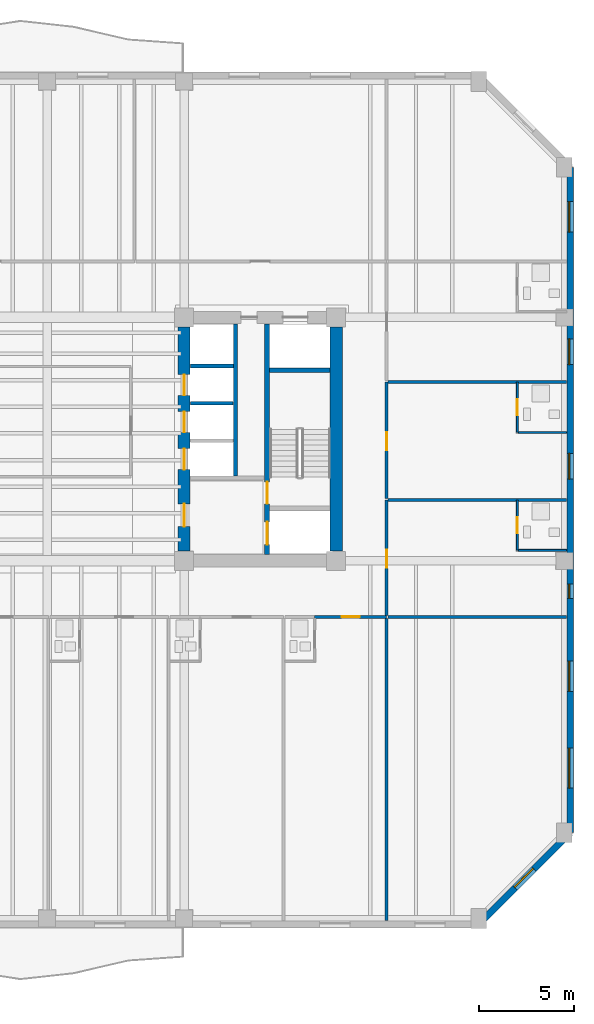
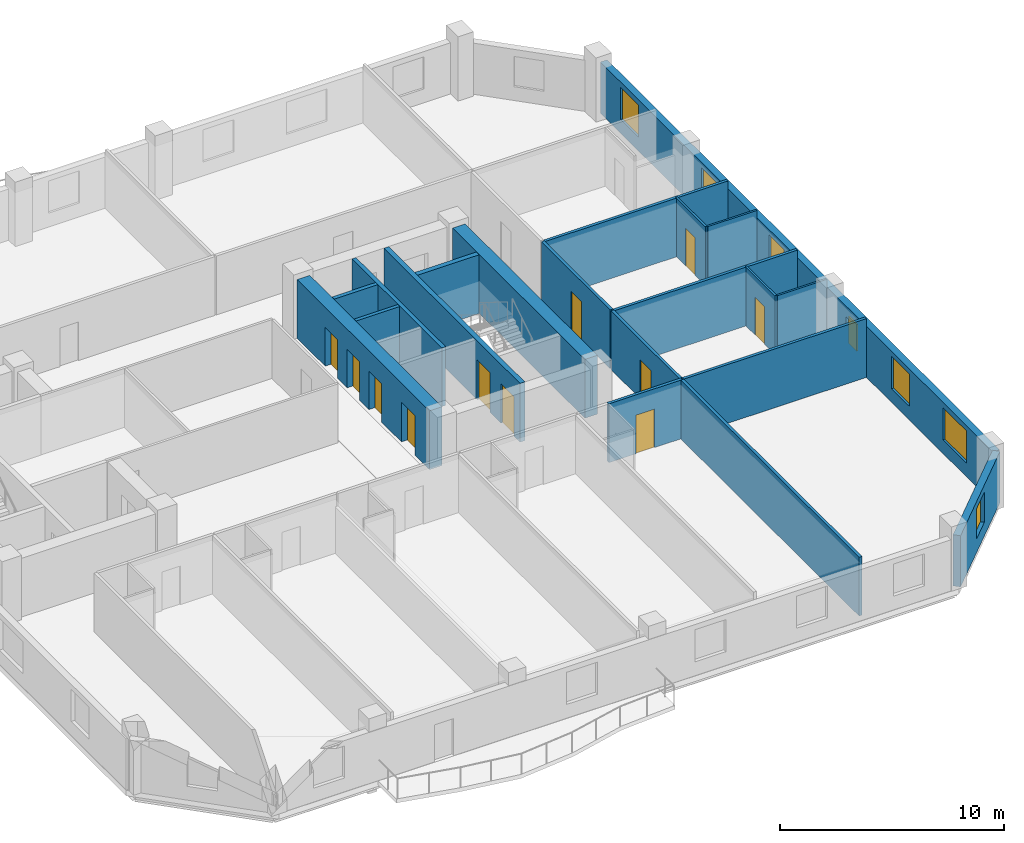
# One storey, part 4 of 10: 20 walls, 11 doors, 7 windows, 18 openings.
"""IFC4 building model written with IfcOpenShell, lengths in metres."""

from ifc_helpers import new_model, si_unit, direction, frame, frame_2d, origin, place, context, subcontext, project, spatial, rectangle, extrude, material, layer, layer_set, type_object, element, fill, save


model = new_model("IFC4")

# Units and contexts
model_context = context("Model", 3, precision=1e-05, world=origin(), true_north=direction((0.0, 1.0)))
body_context = subcontext(model_context, "Body", "Model", "MODEL_VIEW")
ifc_project = project(units=[si_unit("LENGTHUNIT", "METRE"), si_unit("AREAUNIT", "SQUARE_METRE"), si_unit("VOLUMEUNIT", "CUBIC_METRE"), si_unit("PLANEANGLEUNIT", "RADIAN"), si_unit("MASSUNIT", "GRAM", prefix="KILO")], contexts=[model_context])

# Site, building, storey
site_placement = place(None, origin())
site = spatial("IfcSite", under=ifc_project, at=site_placement, CompositionType="ELEMENT")
building_placement = place(site_placement, origin())
building = spatial("IfcBuilding", under=site, at=building_placement, Name="Kranthara Brick Stack", CompositionType="ELEMENT")
storey_placement = place(building_placement, frame((0.0, 0.0, 151.800048828125)))
storey = spatial("IfcBuildingStorey", under=building, at=storey_placement, Name="L38", CompositionType="ELEMENT", Elevation=151.800048828125)

# Wall, openings, windows
ifc_material_1 = material(Name="Kiln-fired clay brick masonry M15", Category="masonry")
ifc_layer_1 = layer(ifc_material_1, 0.35009765625)
ifc_layer_set_1 = layer_set([ifc_layer_1], Name="Kiln-fired clay brick masonry M15")
wall_type_1 = type_object("IfcWallType", Name="WL-BRK-SPND-350", PredefinedType="STANDARD", material=ifc_layer_set_1)
wall_1_placement = place(storey_placement, frame((55.5048828125, 41.5, 0.0), z_axis=(0.0, 0.0, 1.0), x_axis=(0.0, -1.0, 0.0)))
wall_1 = element("IfcWall", 1, at=wall_1_placement, inside=storey, type_object=wall_type_1, Name="L38 Exterior Brick Facade Wall EAST 1", PredefinedType="STANDARD", context=body_context, shape_type="SweptSolid", body=[
    extrude(rectangle(XDim=35.0, YDim=0.35009765625, at=frame_2d((17.5, 0.0))), origin(), (0.0, 0.0, 1.0), 2.784912109375),
])
opening_1_placement = place(wall_1_placement, frame((1.81298828125, 0.0, 0.75)))
opening_1 = element("IfcOpeningElement", 2, at=opening_1_placement, cuts=wall_1, Name="Opening WN04", PredefinedType="OPENING", context=body_context, shape_type="SweptSolid", body=[
    extrude(rectangle(XDim=1.60009765625, YDim=1.75, at=frame_2d((0.800048828125, 0.875))), frame((0.0, 0.18505859375, 0.0), z_axis=(0.0, -1.0, 0.0), x_axis=(1.0, 0.0, 0.0)), (0.0, 0.0, 1.0), 0.3701171875),
])
opening_2_placement = place(wall_1_placement, frame((9.02490234375, 0.0, 0.75)))
opening_2 = element("IfcOpeningElement", 3, at=opening_2_placement, cuts=wall_1, Name="Opening WN06", PredefinedType="OPENING", context=body_context, shape_type="SweptSolid", body=[
    extrude(rectangle(XDim=1.35009765625, YDim=1.75, at=frame_2d((0.675048828125, 0.875))), frame((0.0, 0.18505859375, 0.0), z_axis=(0.0, -1.0, 0.0), x_axis=(1.0, 0.0, 0.0)), (0.0, 0.0, 1.0), 0.3701171875),
])
opening_3_placement = place(wall_1_placement, frame((15.050048828125, 0.0, 0.75)))
opening_3 = element("IfcOpeningElement", 4, at=opening_3_placement, cuts=wall_1, Name="Opening WN06", PredefinedType="OPENING", context=body_context, shape_type="SweptSolid", body=[
    extrude(rectangle(XDim=1.35009765625, YDim=1.75, at=frame_2d((0.675048828125, 0.875))), frame((0.0, 0.18505859375, 0.0), z_axis=(0.0, -1.0, 0.0), x_axis=(1.0, 0.0, 0.0)), (0.0, 0.0, 1.0), 0.3701171875),
])
opening_4_placement = place(wall_1_placement, frame((25.969970703125, 0.0, 0.75)))
opening_4 = element("IfcOpeningElement", 5, at=opening_4_placement, cuts=wall_1, Name="Opening WN04", PredefinedType="OPENING", context=body_context, shape_type="SweptSolid", body=[
    extrude(rectangle(XDim=1.60009765625, YDim=1.75, at=frame_2d((0.800048828125, 0.875))), frame((0.0, 0.18505859375, 0.0), z_axis=(0.0, -1.0, 0.0), x_axis=(1.0, 0.0, 0.0)), (0.0, 0.0, 1.0), 0.3701171875),
])
opening_5_placement = place(wall_1_placement, frame((30.554931640625, 0.0, 0.75)))
opening_5 = element("IfcOpeningElement", 6, at=opening_5_placement, cuts=wall_1, Name="Opening WN05", PredefinedType="OPENING", context=body_context, shape_type="SweptSolid", body=[
    extrude(rectangle(XDim=2.10009765625, YDim=1.75, at=frame_2d((1.050048828125, 0.875))), frame((0.0, 0.18505859375, 0.0), z_axis=(0.0, -1.0, 0.0), x_axis=(1.0, 0.0, 0.0)), (0.0, 0.0, 1.0), 0.3701171875),
])
opening_6_placement = place(wall_1_placement, frame((21.925048828125, 0.0, 0.75)))
opening_6 = element("IfcOpeningElement", 7, at=opening_6_placement, cuts=wall_1, Name="Opening WN13", PredefinedType="OPENING", context=body_context, shape_type="SweptSolid", body=[
    extrude(rectangle(XDim=0.75, YDim=1.449951171875, at=frame_2d((0.375, 0.72509765625))), frame((0.0, 0.18505859375, 0.0), z_axis=(0.0, -1.0, 0.0), x_axis=(1.0, 0.0, 0.0)), (0.0, 0.0, 1.0), 0.3701171875),
])
ifc_material_2 = material(Name="Double-glazed low-E solar control glass", Category="glass")
window_type_1 = type_object("IfcWindowType", Name="WN-CAS-750x1450", PartitioningType="SINGLE_PANEL", PredefinedType="WINDOW", material=ifc_material_2)
window_1_placement = place(opening_6_placement, origin())
window_1 = element("IfcWindow", 8, at=window_1_placement, inside=storey, type_object=window_type_1, Name="L38 East Deep-Set Casement Window 06", OverallHeight=1.449951171875, OverallWidth=0.75, PartitioningType="SINGLE_PANEL", PredefinedType="WINDOW", context=body_context, shape_type="SweptSolid", body=[
    extrude(rectangle(XDim=0.75, YDim=1.449951171875, at=frame_2d((0.375, 0.72509765625))), frame((0.0, -0.010009765625, 0.0), z_axis=(0.0, -1.0, 0.0), x_axis=(1.0, 0.0, 0.0)), (0.0, 0.0, 1.0), 0.06005859375),
])
fill(opening_6, window_1)
ifc_material_3 = material(Name="Double-glazed low-E solar control glass", Category="glass")
window_type_2 = type_object("IfcWindowType", Name="WN-HTL-1350x1850", PartitioningType="SINGLE_PANEL", PredefinedType="WINDOW", material=ifc_material_3)
window_2_placement = place(opening_2_placement, origin())
window_2 = element("IfcWindow", 9, at=window_2_placement, inside=storey, type_object=window_type_2, Name="L38 East Deep-Set Brick Window 02", OverallHeight=1.75, OverallWidth=1.35009765625, PartitioningType="SINGLE_PANEL", PredefinedType="WINDOW", context=body_context, shape_type="SweptSolid", body=[
    extrude(rectangle(XDim=1.35009765625, YDim=1.75, at=frame_2d((0.675048828125, 0.875))), frame((0.0, -0.010009765625, 0.0), z_axis=(0.0, -1.0, 0.0), x_axis=(1.0, 0.0, 0.0)), (0.0, 0.0, 1.0), 0.06005859375),
])
fill(opening_2, window_2)
window_3_placement = place(opening_3_placement, origin())
window_3 = element("IfcWindow", 10, at=window_3_placement, inside=storey, type_object=window_type_2, Name="L38 East Deep-Set Brick Window 03", OverallHeight=1.75, OverallWidth=1.35009765625, PartitioningType="SINGLE_PANEL", PredefinedType="WINDOW", context=body_context, shape_type="SweptSolid", body=[
    extrude(rectangle(XDim=1.35009765625, YDim=1.75, at=frame_2d((0.675048828125, 0.875))), frame((0.0, -0.010009765625, 0.0), z_axis=(0.0, -1.0, 0.0), x_axis=(1.0, 0.0, 0.0)), (0.0, 0.0, 1.0), 0.06005859375),
])
fill(opening_3, window_3)
ifc_material_4 = material(Name="Double-glazed low-E solar control glass", Category="glass")
window_type_3 = type_object("IfcWindowType", Name="WN-HTL-1600x1850", PartitioningType="DOUBLE_PANEL_VERTICAL", PredefinedType="WINDOW", material=ifc_material_4)
window_4_placement = place(opening_1_placement, origin())
window_4 = element("IfcWindow", 11, at=window_4_placement, inside=storey, type_object=window_type_3, Name="L38 East Deep-Set Brick Window 01", OverallHeight=1.75, OverallWidth=1.60009765625, PartitioningType="SINGLE_PANEL", PredefinedType="WINDOW", context=body_context, shape_type="SweptSolid", body=[
    extrude(rectangle(XDim=1.60009765625, YDim=1.75, at=frame_2d((0.800048828125, 0.875))), frame((0.0, -0.010009765625, 0.0), z_axis=(0.0, -1.0, 0.0), x_axis=(1.0, 0.0, 0.0)), (0.0, 0.0, 1.0), 0.06005859375),
])
fill(opening_1, window_4)
window_5_placement = place(opening_4_placement, origin())
window_5 = element("IfcWindow", 12, at=window_5_placement, inside=storey, type_object=window_type_3, Name="L38 East Deep-Set Brick Window 04", OverallHeight=1.75, OverallWidth=1.60009765625, PartitioningType="SINGLE_PANEL", PredefinedType="WINDOW", context=body_context, shape_type="SweptSolid", body=[
    extrude(rectangle(XDim=1.60009765625, YDim=1.75, at=frame_2d((0.800048828125, 0.875))), frame((0.0, -0.010009765625, 0.0), z_axis=(0.0, -1.0, 0.0), x_axis=(1.0, 0.0, 0.0)), (0.0, 0.0, 1.0), 0.06005859375),
])
fill(opening_4, window_5)
ifc_material_5 = material(Name="Double-glazed low-E solar control glass", Category="glass")
window_type_4 = type_object("IfcWindowType", Name="WN-HTL-2100x1850", PartitioningType="DOUBLE_PANEL_VERTICAL", PredefinedType="WINDOW", material=ifc_material_5)
window_6_placement = place(opening_5_placement, origin())
window_6 = element("IfcWindow", 13, at=window_6_placement, inside=storey, type_object=window_type_4, Name="L38 East Deep-Set Brick Window 05", OverallHeight=1.75, OverallWidth=2.10009765625, PartitioningType="SINGLE_PANEL", PredefinedType="WINDOW", context=body_context, shape_type="SweptSolid", body=[
    extrude(rectangle(XDim=2.10009765625, YDim=1.75, at=frame_2d((1.050048828125, 0.875))), frame((0.0, -0.010009765625, 0.0), z_axis=(0.0, -1.0, 0.0), x_axis=(1.0, 0.0, 0.0)), (0.0, 0.0, 1.0), 0.06005859375),
])
fill(opening_5, window_6)

# Wall, opening, window
wall_2_placement = place(storey_placement, frame((55.5048828125, 6.5, 0.0), z_axis=(0.0, 0.0, 1.0), x_axis=(-0.707106781187, -0.707106781187, 0.0)))
wall_2 = element("IfcWall", 14, at=wall_2_placement, inside=storey, type_object=wall_type_1, Name="L38 Exterior Brick Facade Wall SE 1", PredefinedType="STANDARD", context=body_context, shape_type="SweptSolid", body=[
    extrude(rectangle(XDim=6.795166015625, YDim=0.35009765625, at=frame_2d((3.3974609375, 0.0))), origin(), (0.0, 0.0, 1.0), 2.784912109375),
])
opening_7_placement = place(wall_2_placement, frame((2.697998046875, 0.0, 0.75)))
opening_7 = element("IfcOpeningElement", 15, at=opening_7_placement, cuts=wall_2, Name="Opening WN10", PredefinedType="OPENING", context=body_context, shape_type="SweptSolid", body=[
    extrude(rectangle(XDim=1.39990234375, YDim=1.64990234375, at=frame_2d((0.699951171875, 0.824951171875))), frame((0.0, 0.18505859375, 0.0), z_axis=(0.0, -1.0, 0.0), x_axis=(1.0, 0.0, 0.0)), (0.0, 0.0, 1.0), 0.3701171875),
])
ifc_material_6 = material(Name="Double-glazed low-E solar control glass", Category="glass")
window_type_5 = type_object("IfcWindowType", Name="WN-CHM-1400x1750", PartitioningType="SINGLE_PANEL", PredefinedType="WINDOW", material=ifc_material_6)
window_7_placement = place(opening_7_placement, origin())
window_7 = element("IfcWindow", 16, at=window_7_placement, inside=storey, type_object=window_type_5, Name="L38 SE Chamfer Corner Window", OverallHeight=1.64990234375, OverallWidth=1.39990234375, PartitioningType="SINGLE_PANEL", PredefinedType="WINDOW", context=body_context, shape_type="SweptSolid", body=[
    extrude(rectangle(XDim=1.39990234375, YDim=1.64990234375, at=frame_2d((0.699951171875, 0.824951171875))), frame((0.0, -0.010009765625, 0.0), z_axis=(0.0, -1.0, 0.0), x_axis=(1.0, 0.0, 0.0)), (0.0, 0.0, 1.0), 0.06005859375),
])
fill(opening_7, window_7)

# Wall, openings, doors
ifc_material_7 = material(Name="Concrete C50/60", Category="concrete")
ifc_layer_2 = layer(ifc_material_7, 0.25)
ifc_layer_set_2 = layer_set([ifc_layer_2], Name="Concrete C50/60")
wall_type_2 = type_object("IfcWallType", Name="WL-CORE-250", PredefinedType="SHEAR", material=ifc_layer_set_2)
wall_3_placement = place(storey_placement, frame((39.56494140625, 21.135009765625, 0.0), z_axis=(0.0, 0.0, 1.0), x_axis=(0.0, 1.0, 0.0)))
wall_3 = element("IfcWall", 17, at=wall_3_placement, inside=storey, type_object=wall_type_2, Name="L38 East Core Stair Bearing Spine Wall", PredefinedType="SHEAR", context=body_context, shape_type="SweptSolid", body=[
    extrude(rectangle(XDim=12.1298828125, YDim=0.25, at=frame_2d((6.06494140625, 0.0))), origin(), (0.0, 0.0, 1.0), 3.199951171875),
])
opening_8_placement = place(wall_3_placement, frame((0.514892578125, 0.0, 0.0)))
opening_8 = element("IfcOpeningElement", 18, at=opening_8_placement, cuts=wall_3, Name="Opening LD01", PredefinedType="OPENING", context=body_context, shape_type="SweptSolid", body=[
    extrude(rectangle(XDim=1.199951171875, YDim=2.14990234375, at=frame_2d((0.60009765625, 1.074951171875))), frame((0.0, 0.135009765625, 0.0), z_axis=(0.0, -1.0, 0.0), x_axis=(1.0, 0.0, 0.0)), (0.0, 0.0, 1.0), 0.27001953125),
])
opening_9_placement = place(wall_3_placement, frame((2.6650390625, 0.0, 0.0)))
opening_9 = element("IfcOpeningElement", 19, at=opening_9_placement, cuts=wall_3, Name="Opening D05", PredefinedType="OPENING", context=body_context, shape_type="SweptSolid", body=[
    extrude(rectangle(XDim=1.14990234375, YDim=2.14990234375, at=frame_2d((0.574951171875, 1.074951171875))), frame((0.0, 0.135009765625, 0.0), z_axis=(0.0, -1.0, 0.0), x_axis=(1.0, 0.0, 0.0)), (0.0, 0.0, 1.0), 0.27001953125),
])
ifc_material_8 = material(Name="Stainless steel sliding landing door", Category="steel")
door_type_1 = type_object("IfcDoorType", Name="DR-LD-FF1200", OperationType="DOUBLE_DOOR_SLIDING", PredefinedType="DOOR", material=ifc_material_8)
door_1_placement = place(opening_8_placement, origin())
door_1 = element("IfcDoor", 20, at=door_1_placement, inside=storey, type_object=door_type_1, Name="L38 Firefighting Lift FF-02 Landing Door", OperationType="DOUBLE_DOOR_SLIDING", OverallHeight=2.14990234375, OverallWidth=1.199951171875, PredefinedType="DOOR", context=body_context, shape_type="SweptSolid", body=[
    extrude(rectangle(XDim=1.199951171875, YDim=2.14990234375, at=frame_2d((0.60009765625, 1.074951171875))), frame((0.0, 0.02490234375, 0.0), z_axis=(0.0, -1.0, 0.0), x_axis=(1.0, 0.0, 0.0)), (0.0, 0.0, 1.0), 0.050048828125),
])
fill(opening_8, door_1)
ifc_material_9 = material(Name="Solid-core hardwood timber leaf in steel frame", Category="steel")
door_type_2 = type_object("IfcDoorType", Name="DR-ST-1150", OperationType="NOTDEFINED", PredefinedType="DOOR", material=ifc_material_9)
door_2_placement = place(opening_9_placement, origin())
door_2 = element("IfcDoor", 21, at=door_2_placement, inside=storey, type_object=door_type_2, Name="L38 Exit Stair ST02 Door", OperationType="SINGLE_SWING_LEFT", OverallHeight=2.14990234375, OverallWidth=1.14990234375, PredefinedType="DOOR", context=body_context, shape_type="SweptSolid", body=[
    extrude(rectangle(XDim=1.14990234375, YDim=2.14990234375, at=frame_2d((0.574951171875, 1.074951171875))), frame((0.0, 0.02490234375, 0.0), z_axis=(0.0, -1.0, 0.0), x_axis=(1.0, 0.0, 0.0)), (0.0, 0.0, 1.0), 0.050048828125),
])
fill(opening_9, door_2)

# Walls
wall_4_placement = place(storey_placement, frame((39.68994140625, 30.830078125, 0.0), z_axis=(0.0, 0.0, 1.0), x_axis=(1.0, 0.0, 0.0)))
element("IfcWall", 22, at=wall_4_placement, inside=storey, type_object=wall_type_2, Name="L38 East Stairwell Bearing Wall EST", PredefinedType="SHEAR", context=body_context, shape_type="SweptSolid", body=[
    extrude(rectangle(XDim=3.175048828125, YDim=0.25, at=frame_2d((1.58740234375, 0.0))), origin(), (0.0, 0.0, 1.0), 3.199951171875),
])
ifc_material_10 = material(Name="Concrete C60/75", Category="concrete")
ifc_layer_3 = layer(ifc_material_10, 0.64990234375)
ifc_layer_set_3 = layer_set([ifc_layer_3], Name="Concrete C60/75")
wall_type_3 = type_object("IfcWallType", Name="WL-CORE-650", PredefinedType="SHEAR", material=ifc_layer_set_3)
wall_5_placement = place(storey_placement, frame((43.199951171875, 21.304931640625, 0.0), z_axis=(0.0, 0.0, 1.0), x_axis=(0.0, 1.0, 0.0)))
element("IfcWall", 23, at=wall_5_placement, inside=storey, type_object=wall_type_3, Name="L38 East Core Shear Wall East", PredefinedType="SHEAR", context=body_context, shape_type="SweptSolid", body=[
    extrude(rectangle(XDim=11.7900390625, YDim=0.64990234375, at=frame_2d((5.89501953125, 0.0))), origin(), (0.0, 0.0, 1.0), 3.199951171875),
])

# Wall, openings, doors
wall_6_placement = place(storey_placement, frame((35.199951171875, 21.304931640625, 0.0), z_axis=(0.0, 0.0, 1.0), x_axis=(0.0, 1.0, 0.0)))
wall_6 = element("IfcWall", 24, at=wall_6_placement, inside=storey, type_object=wall_type_3, Name="L38 East Core Shear Wall West", PredefinedType="SHEAR", context=body_context, shape_type="SweptSolid", body=[
    extrude(rectangle(XDim=11.7900390625, YDim=0.64990234375, at=frame_2d((5.89501953125, 0.0))), origin(), (0.0, 0.0, 1.0), 3.199951171875),
])
opening_10_placement = place(wall_6_placement, frame((1.294921875, 0.0, 0.0)))
opening_10 = element("IfcOpeningElement", 25, at=opening_10_placement, cuts=wall_6, Name="Opening D06", PredefinedType="OPENING", context=body_context, shape_type="SweptSolid", body=[
    extrude(rectangle(XDim=1.199951171875, YDim=2.14990234375, at=frame_2d((0.60009765625, 1.074951171875))), frame((0.0, 0.3349609375, 0.0), z_axis=(0.0, -1.0, 0.0), x_axis=(1.0, 0.0, 0.0)), (0.0, 0.0, 1.0), 0.669921875),
])
opening_11_placement = place(wall_6_placement, frame((4.294921875, 0.0, 0.0)))
opening_11 = element("IfcOpeningElement", 26, at=opening_11_placement, cuts=wall_6, Name="Opening LD02", PredefinedType="OPENING", context=body_context, shape_type="SweptSolid", body=[
    extrude(rectangle(XDim=1.10009765625, YDim=2.10009765625, at=frame_2d((0.550048828125, 1.050048828125))), frame((0.0, 0.3349609375, 0.0), z_axis=(0.0, -1.0, 0.0), x_axis=(1.0, 0.0, 0.0)), (0.0, 0.0, 1.0), 0.669921875),
])
opening_12_placement = place(wall_6_placement, frame((6.2451171875, 0.0, 0.0)))
opening_12 = element("IfcOpeningElement", 27, at=opening_12_placement, cuts=wall_6, Name="Opening LD02", PredefinedType="OPENING", context=body_context, shape_type="SweptSolid", body=[
    extrude(rectangle(XDim=1.10009765625, YDim=2.10009765625, at=frame_2d((0.550048828125, 1.050048828125))), frame((0.0, 0.3349609375, 0.0), z_axis=(0.0, -1.0, 0.0), x_axis=(1.0, 0.0, 0.0)), (0.0, 0.0, 1.0), 0.669921875),
])
opening_13_placement = place(wall_6_placement, frame((8.195068359375, 0.0, 0.0)))
opening_13 = element("IfcOpeningElement", 28, at=opening_13_placement, cuts=wall_6, Name="Opening LD02", PredefinedType="OPENING", context=body_context, shape_type="SweptSolid", body=[
    extrude(rectangle(XDim=1.10009765625, YDim=2.10009765625, at=frame_2d((0.550048828125, 1.050048828125))), frame((0.0, 0.3349609375, 0.0), z_axis=(0.0, -1.0, 0.0), x_axis=(1.0, 0.0, 0.0)), (0.0, 0.0, 1.0), 0.669921875),
])
ifc_material_11 = material(Name="Solid-core hardwood timber leaf in steel frame", Category="steel")
door_type_3 = type_object("IfcDoorType", Name="DR-FFL-1200", OperationType="NOTDEFINED", PredefinedType="DOOR", material=ifc_material_11)
door_3_placement = place(opening_10_placement, origin())
door_3 = element("IfcDoor", 29, at=door_3_placement, inside=storey, type_object=door_type_3, Name="L38 East Firefighting Lobby Door", OperationType="SINGLE_SWING_RIGHT", OverallHeight=2.14990234375, OverallWidth=1.199951171875, PredefinedType="DOOR", context=body_context, shape_type="SweptSolid", body=[
    extrude(rectangle(XDim=1.199951171875, YDim=2.14990234375, at=frame_2d((0.60009765625, 1.074951171875))), frame((0.0, 0.02490234375, 0.0), z_axis=(0.0, -1.0, 0.0), x_axis=(1.0, 0.0, 0.0)), (0.0, 0.0, 1.0), 0.050048828125),
])
fill(opening_10, door_3)
ifc_material_12 = material(Name="Stainless steel sliding landing door", Category="steel")
door_type_4 = type_object("IfcDoorType", Name="DR-LD-PL1100", OperationType="DOUBLE_DOOR_SLIDING", PredefinedType="DOOR", material=ifc_material_12)
door_4_placement = place(opening_11_placement, origin())
door_4 = element("IfcDoor", 30, at=door_4_placement, inside=storey, type_object=door_type_4, Name="L38 PL-04 Lift Landing Door", OperationType="DOUBLE_DOOR_SLIDING", OverallHeight=2.10009765625, OverallWidth=1.10009765625, PredefinedType="DOOR", context=body_context, shape_type="SweptSolid", body=[
    extrude(rectangle(XDim=1.10009765625, YDim=2.10009765625, at=frame_2d((0.550048828125, 1.050048828125))), frame((0.0, 0.02490234375, 0.0), z_axis=(0.0, -1.0, 0.0), x_axis=(1.0, 0.0, 0.0)), (0.0, 0.0, 1.0), 0.050048828125),
])
fill(opening_11, door_4)
door_5_placement = place(opening_12_placement, origin())
door_5 = element("IfcDoor", 31, at=door_5_placement, inside=storey, type_object=door_type_4, Name="L38 PL-05 Lift Landing Door", OperationType="DOUBLE_DOOR_SLIDING", OverallHeight=2.10009765625, OverallWidth=1.10009765625, PredefinedType="DOOR", context=body_context, shape_type="SweptSolid", body=[
    extrude(rectangle(XDim=1.10009765625, YDim=2.10009765625, at=frame_2d((0.550048828125, 1.050048828125))), frame((0.0, 0.02490234375, 0.0), z_axis=(0.0, -1.0, 0.0), x_axis=(1.0, 0.0, 0.0)), (0.0, 0.0, 1.0), 0.050048828125),
])
fill(opening_12, door_5)
door_6_placement = place(opening_13_placement, origin())
door_6 = element("IfcDoor", 32, at=door_6_placement, inside=storey, type_object=door_type_4, Name="L38 PL-06 Lift Landing Door", OperationType="DOUBLE_DOOR_SLIDING", OverallHeight=2.10009765625, OverallWidth=1.10009765625, PredefinedType="DOOR", context=body_context, shape_type="SweptSolid", body=[
    extrude(rectangle(XDim=1.10009765625, YDim=2.10009765625, at=frame_2d((0.550048828125, 1.050048828125))), frame((0.0, 0.02490234375, 0.0), z_axis=(0.0, -1.0, 0.0), x_axis=(1.0, 0.0, 0.0)), (0.0, 0.0, 1.0), 0.050048828125),
])
fill(opening_13, door_6)

# Wall, opening, door
ifc_material_13 = material(Name="Moisture-resistant wet-room partition", Category="other")
ifc_layer_4 = layer(ifc_material_13, 0.10009765625)
ifc_layer_set_4 = layer_set([ifc_layer_4], Name="Moisture-resistant wet-room partition")
wall_type_4 = type_object("IfcWallType", Name="WL-PART-100", PredefinedType="PARTITIONING", material=ifc_layer_set_4)
wall_7_placement = place(storey_placement, frame((52.72998046875, 21.35009765625, 0.0), z_axis=(0.0, 0.0, 1.0), x_axis=(0.0, 1.0, 0.0)))
wall_7 = element("IfcWall", 33, at=wall_7_placement, inside=storey, type_object=wall_type_4, Name="L38 Interior Partition 042", PredefinedType="PARTITIONING", context=body_context, shape_type="SweptSolid", body=[
    extrude(rectangle(XDim=2.64990234375, YDim=0.10009765625, at=frame_2d((1.324951171875, 0.0))), origin(), (0.0, 0.0, 1.0), 3.199951171875),
])
opening_14_placement = place(wall_7_placement, frame((0.905029296875, 0.0, 0.0)))
opening_14 = element("IfcOpeningElement", 34, at=opening_14_placement, cuts=wall_7, Name="Opening D17", PredefinedType="OPENING", context=body_context, shape_type="SweptSolid", body=[
    extrude(rectangle(XDim=0.85009765625, YDim=2.050048828125, at=frame_2d((0.425048828125, 1.02490234375))), frame((0.0, 0.06005859375, 0.0), z_axis=(0.0, -1.0, 0.0), x_axis=(1.0, 0.0, 0.0)), (0.0, 0.0, 1.0), 0.1201171875),
])
ifc_material_14 = material(Name="Solid-core hardwood timber leaf in steel frame", Category="steel")
door_type_5 = type_object("IfcDoorType", Name="DR-WET-850", OperationType="NOTDEFINED", PredefinedType="DOOR", material=ifc_material_14)
door_7_placement = place(opening_14_placement, origin())
door_7 = element("IfcDoor", 35, at=door_7_placement, inside=storey, type_object=door_type_5, Name="L38 East Key 8 Bath 16", OperationType="SINGLE_SWING_RIGHT", OverallHeight=2.050048828125, OverallWidth=0.85009765625, PredefinedType="DOOR", context=body_context, shape_type="SweptSolid", body=[
    extrude(rectangle(XDim=0.85009765625, YDim=2.050048828125, at=frame_2d((0.425048828125, 1.02490234375))), frame((0.0, 0.02490234375, 0.0), z_axis=(0.0, -1.0, 0.0), x_axis=(1.0, 0.0, 0.0)), (0.0, 0.0, 1.0), 0.050048828125),
])
fill(opening_14, door_7)

# Wall
wall_8_placement = place(storey_placement, frame((52.784912109375, 21.35009765625, 0.0), z_axis=(0.0, 0.0, 1.0), x_axis=(1.0, 0.0, 0.0)))
element("IfcWall", 36, at=wall_8_placement, inside=storey, type_object=wall_type_4, Name="L38 Interior Partition 043", PredefinedType="PARTITIONING", context=body_context, shape_type="SweptSolid", body=[
    extrude(rectangle(XDim=2.5400390625, YDim=0.10009765625, at=frame_2d((1.27001953125, 0.0))), origin(), (0.0, 0.0, 1.0), 3.199951171875),
])

# Wall, opening, door
wall_9_placement = place(storey_placement, frame((52.72998046875, 27.550048828125, 0.0), z_axis=(0.0, 0.0, 1.0), x_axis=(0.0, 1.0, 0.0)))
wall_9 = element("IfcWall", 37, at=wall_9_placement, inside=storey, type_object=wall_type_4, Name="L38 Interior Partition 046", PredefinedType="PARTITIONING", context=body_context, shape_type="SweptSolid", body=[
    extrude(rectangle(XDim=2.64990234375, YDim=0.10009765625, at=frame_2d((1.324951171875, 0.0))), origin(), (0.0, 0.0, 1.0), 3.199951171875),
])
opening_15_placement = place(wall_9_placement, frame((0.905029296875, 0.0, 0.0)))
opening_15 = element("IfcOpeningElement", 38, at=opening_15_placement, cuts=wall_9, Name="Opening D17", PredefinedType="OPENING", context=body_context, shape_type="SweptSolid", body=[
    extrude(rectangle(XDim=0.85009765625, YDim=2.050048828125, at=frame_2d((0.425048828125, 1.02490234375))), frame((0.0, 0.06005859375, 0.0), z_axis=(0.0, -1.0, 0.0), x_axis=(1.0, 0.0, 0.0)), (0.0, 0.0, 1.0), 0.1201171875),
])
door_8_placement = place(opening_15_placement, origin())
door_8 = element("IfcDoor", 39, at=door_8_placement, inside=storey, type_object=door_type_5, Name="L38 East Key 9 Bath 18", OperationType="SINGLE_SWING_RIGHT", OverallHeight=2.050048828125, OverallWidth=0.85009765625, PredefinedType="DOOR", context=body_context, shape_type="SweptSolid", body=[
    extrude(rectangle(XDim=0.85009765625, YDim=2.050048828125, at=frame_2d((0.425048828125, 1.02490234375))), frame((0.0, 0.02490234375, 0.0), z_axis=(0.0, -1.0, 0.0), x_axis=(1.0, 0.0, 0.0)), (0.0, 0.0, 1.0), 0.050048828125),
])
fill(opening_15, door_8)

# Wall
wall_10_placement = place(storey_placement, frame((52.784912109375, 27.550048828125, 0.0), z_axis=(0.0, 0.0, 1.0), x_axis=(1.0, 0.0, 0.0)))
element("IfcWall", 40, at=wall_10_placement, inside=storey, type_object=wall_type_4, Name="L38 Interior Partition 047", PredefinedType="PARTITIONING", context=body_context, shape_type="SweptSolid", body=[
    extrude(rectangle(XDim=2.5400390625, YDim=0.10009765625, at=frame_2d((1.27001953125, 0.0))), origin(), (0.0, 0.0, 1.0), 3.199951171875),
])

# Wall, opening, door
ifc_material_15 = material(Name="Fire-rated gypsum board partition", Category="other")
ifc_layer_5 = layer(ifc_material_15, 0.14990234375)
ifc_layer_set_5 = layer_set([ifc_layer_5], Name="Fire-rated gypsum board partition")
wall_type_5 = type_object("IfcWallType", Name="WL-PART-150", PredefinedType="PARTITIONING", material=ifc_layer_set_5)
wall_11_placement = place(storey_placement, frame((42.072998046875, 17.85009765625, 0.0), z_axis=(0.0, 0.0, 1.0), x_axis=(1.0, 0.0, 0.0)))
wall_11 = element("IfcWall", 41, at=wall_11_placement, inside=storey, type_object=wall_type_5, Name="L38 Interior Partition 027", PredefinedType="PARTITIONING", context=body_context, shape_type="SweptSolid", body=[
    extrude(rectangle(XDim=3.777099609375, YDim=0.14990234375, at=frame_2d((1.888671875, 0.0))), origin(), (0.0, 0.0, 1.0), 3.199951171875),
])
opening_16_placement = place(wall_11_placement, frame((1.408935546875, 0.0, 0.0)))
opening_16 = element("IfcOpeningElement", 42, at=opening_16_placement, cuts=wall_11, Name="Opening D09", PredefinedType="OPENING", context=body_context, shape_type="SweptSolid", body=[
    extrude(rectangle(XDim=0.949951171875, YDim=2.10009765625, at=frame_2d((0.47509765625, 1.050048828125))), frame((0.0, 0.0849609375, 0.0), z_axis=(0.0, -1.0, 0.0), x_axis=(1.0, 0.0, 0.0)), (0.0, 0.0, 1.0), 0.169921875),
])
ifc_material_16 = material(Name="Solid-core hardwood timber leaf in steel frame", Category="steel")
door_type_6 = type_object("IfcDoorType", Name="DR-FD-950", OperationType="NOTDEFINED", PredefinedType="DOOR", material=ifc_material_16)
door_9_placement = place(opening_16_placement, origin())
door_9 = element("IfcDoor", 43, at=door_9_placement, inside=storey, type_object=door_type_6, Name="L38 Key 05 Entry 12", OperationType="SINGLE_SWING_RIGHT", OverallHeight=2.10009765625, OverallWidth=0.949951171875, PredefinedType="DOOR", context=body_context, shape_type="SweptSolid", body=[
    extrude(rectangle(XDim=0.949951171875, YDim=2.10009765625, at=frame_2d((0.47509765625, 1.050048828125))), frame((0.0, 0.02490234375, 0.0), z_axis=(0.0, -1.0, 0.0), x_axis=(1.0, 0.0, 0.0)), (0.0, 0.0, 1.0), 0.050048828125),
])
fill(opening_16, door_9)

# Walls
wall_12_placement = place(storey_placement, frame((45.85009765625, 1.875, 0.0), z_axis=(0.0, 0.0, 1.0), x_axis=(0.0, 1.0, 0.0)))
element("IfcWall", 44, at=wall_12_placement, inside=storey, type_object=wall_type_5, Name="L38 Interior Partition 030", PredefinedType="PARTITIONING", context=body_context, shape_type="SweptSolid", body=[
    extrude(rectangle(XDim=15.89501953125, YDim=0.14990234375, at=frame_2d((7.947509765625, 0.0))), origin(), (0.0, 0.0, 1.0), 3.199951171875),
])
wall_13_placement = place(storey_placement, frame((45.929931640625, 17.85009765625, 0.0), z_axis=(0.0, 0.0, 1.0), x_axis=(1.0, 0.0, 0.0)))
element("IfcWall", 45, at=wall_13_placement, inside=storey, type_object=wall_type_5, Name="L38 Interior Partition 039", PredefinedType="PARTITIONING", context=body_context, shape_type="SweptSolid", body=[
    extrude(rectangle(XDim=9.39501953125, YDim=0.14990234375, at=frame_2d((4.697509765625, 0.0))), origin(), (0.0, 0.0, 1.0), 3.199951171875),
])

# Wall, opening, door
wall_14_placement = place(storey_placement, frame((45.85009765625, 17.929931640625, 0.0), z_axis=(0.0, 0.0, 1.0), x_axis=(0.0, 1.0, 0.0)))
wall_14 = element("IfcWall", 46, at=wall_14_placement, inside=storey, type_object=wall_type_5, Name="L38 Interior Partition 041", PredefinedType="PARTITIONING", context=body_context, shape_type="SweptSolid", body=[
    extrude(rectangle(XDim=6.070068359375, YDim=0.14990234375, at=frame_2d((3.03515625, 0.0))), origin(), (0.0, 0.0, 1.0), 3.199951171875),
])
opening_17_placement = place(wall_14_placement, frame((2.514892578125, 0.0, 0.0)))
opening_17 = element("IfcOpeningElement", 47, at=opening_17_placement, cuts=wall_14, Name="Opening D09", PredefinedType="OPENING", context=body_context, shape_type="SweptSolid", body=[
    extrude(rectangle(XDim=0.949951171875, YDim=2.10009765625, at=frame_2d((0.47509765625, 1.050048828125))), frame((0.0, 0.0849609375, 0.0), z_axis=(0.0, -1.0, 0.0), x_axis=(1.0, 0.0, 0.0)), (0.0, 0.0, 1.0), 0.169921875),
])
door_10_placement = place(opening_17_placement, origin())
door_10 = element("IfcDoor", 48, at=door_10_placement, inside=storey, type_object=door_type_6, Name="L38 East Key 8 17", OperationType="SINGLE_SWING_LEFT", OverallHeight=2.10009765625, OverallWidth=0.949951171875, PredefinedType="DOOR", context=body_context, shape_type="SweptSolid", body=[
    extrude(rectangle(XDim=0.949951171875, YDim=2.10009765625, at=frame_2d((0.47509765625, 1.050048828125))), frame((0.0, 0.02490234375, 0.0), z_axis=(0.0, -1.0, 0.0), x_axis=(1.0, 0.0, 0.0)), (0.0, 0.0, 1.0), 0.050048828125),
])
fill(opening_17, door_10)

# Wall
wall_15_placement = place(storey_placement, frame((45.929931640625, 24.0, 0.0), z_axis=(0.0, 0.0, 1.0), x_axis=(1.0, 0.0, 0.0)))
element("IfcWall", 49, at=wall_15_placement, inside=storey, type_object=wall_type_5, Name="L38 Interior Partition 044", PredefinedType="PARTITIONING", context=body_context, shape_type="SweptSolid", body=[
    extrude(rectangle(XDim=9.39501953125, YDim=0.14990234375, at=frame_2d((4.697509765625, 0.0))), origin(), (0.0, 0.0, 1.0), 3.199951171875),
])

# Wall, opening, door
wall_16_placement = place(storey_placement, frame((45.85009765625, 24.080078125, 0.0), z_axis=(0.0, 0.0, 1.0), x_axis=(0.0, 1.0, 0.0)))
wall_16 = element("IfcWall", 50, at=wall_16_placement, inside=storey, type_object=wall_type_5, Name="L38 Interior Partition 045", PredefinedType="PARTITIONING", context=body_context, shape_type="SweptSolid", body=[
    extrude(rectangle(XDim=6.119873046875, YDim=0.14990234375, at=frame_2d((3.06005859375, 0.0))), origin(), (0.0, 0.0, 1.0), 3.199951171875),
])
opening_18_placement = place(wall_16_placement, frame((2.5400390625, 0.0, 0.0)))
opening_18 = element("IfcOpeningElement", 51, at=opening_18_placement, cuts=wall_16, Name="Opening D09", PredefinedType="OPENING", context=body_context, shape_type="SweptSolid", body=[
    extrude(rectangle(XDim=0.949951171875, YDim=2.10009765625, at=frame_2d((0.47509765625, 1.050048828125))), frame((0.0, 0.0849609375, 0.0), z_axis=(0.0, -1.0, 0.0), x_axis=(1.0, 0.0, 0.0)), (0.0, 0.0, 1.0), 0.169921875),
])
door_11_placement = place(opening_18_placement, origin())
door_11 = element("IfcDoor", 52, at=door_11_placement, inside=storey, type_object=door_type_6, Name="L38 East Key 9 19", OperationType="SINGLE_SWING_LEFT", OverallHeight=2.10009765625, OverallWidth=0.949951171875, PredefinedType="DOOR", context=body_context, shape_type="SweptSolid", body=[
    extrude(rectangle(XDim=0.949951171875, YDim=2.10009765625, at=frame_2d((0.47509765625, 1.050048828125))), frame((0.0, 0.02490234375, 0.0), z_axis=(0.0, -1.0, 0.0), x_axis=(1.0, 0.0, 0.0)), (0.0, 0.0, 1.0), 0.050048828125),
])
fill(opening_18, door_11)

# Walls
wall_17_placement = place(storey_placement, frame((45.929931640625, 30.199951171875, 0.0), z_axis=(0.0, 0.0, 1.0), x_axis=(1.0, 0.0, 0.0)))
element("IfcWall", 53, at=wall_17_placement, inside=storey, type_object=wall_type_5, Name="L38 Interior Partition 048", PredefinedType="PARTITIONING", context=body_context, shape_type="SweptSolid", body=[
    extrude(rectangle(XDim=9.39501953125, YDim=0.14990234375, at=frame_2d((4.697509765625, 0.0))), origin(), (0.0, 0.0, 1.0), 3.199951171875),
])
ifc_material_17 = material(Name="Gypsum plasterboard on acoustic twin stud", Category="other")
ifc_layer_6 = layer(ifc_material_17, 0.179931640625)
ifc_layer_set_6 = layer_set([ifc_layer_6], Name="Gypsum plasterboard on acoustic twin stud")
wall_type_6 = type_object("IfcWallType", Name="WL-PART-180", PredefinedType="PARTITIONING", material=ifc_layer_set_6)
wall_18_placement = place(storey_placement, frame((35.534912109375, 29.080078125, 0.0), z_axis=(0.0, 0.0, 1.0), x_axis=(1.0, 0.0, 0.0)))
element("IfcWall", 54, at=wall_18_placement, inside=storey, type_object=wall_type_6, Name="L38 East Hoistway Wall EH2", PredefinedType="PARTITIONING", context=body_context, shape_type="SweptSolid", body=[
    extrude(rectangle(XDim=2.2451171875, YDim=0.179931640625, at=frame_2d((1.12255859375, 0.0))), origin(), (0.0, 0.0, 1.0), 3.199951171875),
])
ifc_material_18 = material(Name="Concrete C40/50", Category="concrete")
ifc_layer_7 = layer(ifc_material_18, 0.199951171875)
ifc_layer_set_7 = layer_set([ifc_layer_7], Name="Concrete C40/50")
wall_type_7 = type_object("IfcWallType", Name="WL-PART-200", PredefinedType="SOLIDWALL", material=ifc_layer_set_7)
wall_19_placement = place(storey_placement, frame((35.550048828125, 31.050048828125, 0.0), z_axis=(0.0, 0.0, 1.0), x_axis=(1.0, 0.0, 0.0)))
element("IfcWall", 55, at=wall_19_placement, inside=storey, type_object=wall_type_7, Name="L38 East Core Cross Wall EE4", PredefinedType="SOLIDWALL", context=body_context, shape_type="SweptSolid", body=[
    extrude(rectangle(XDim=2.25, YDim=0.199951171875, at=frame_2d((1.125, 0.0))), origin(), (0.0, 0.0, 1.0), 3.199951171875),
])
wall_20_placement = place(storey_placement, frame((37.89990234375, 25.27001953125, 0.0), z_axis=(0.0, 0.0, 1.0), x_axis=(0.0, 1.0, 0.0)))
element("IfcWall", 56, at=wall_20_placement, inside=storey, type_object=wall_type_7, Name="L38 East Core Cross Wall ESV", PredefinedType="SOLIDWALL", context=body_context, shape_type="SweptSolid", body=[
    extrude(rectangle(XDim=7.994873046875, YDim=0.199951171875, at=frame_2d((3.99755859375, 0.0))), origin(), (0.0, 0.0, 1.0), 3.199951171875),
])

save(model, "model.ifc")
